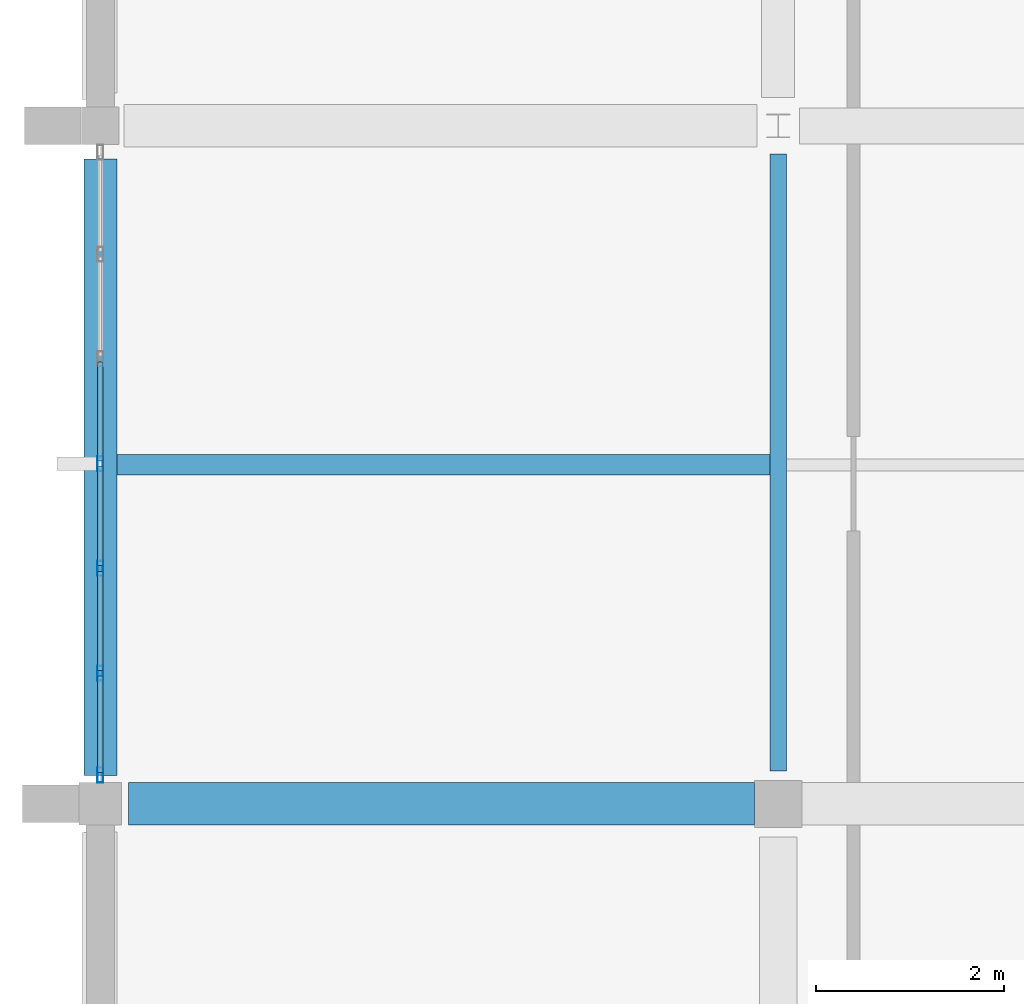
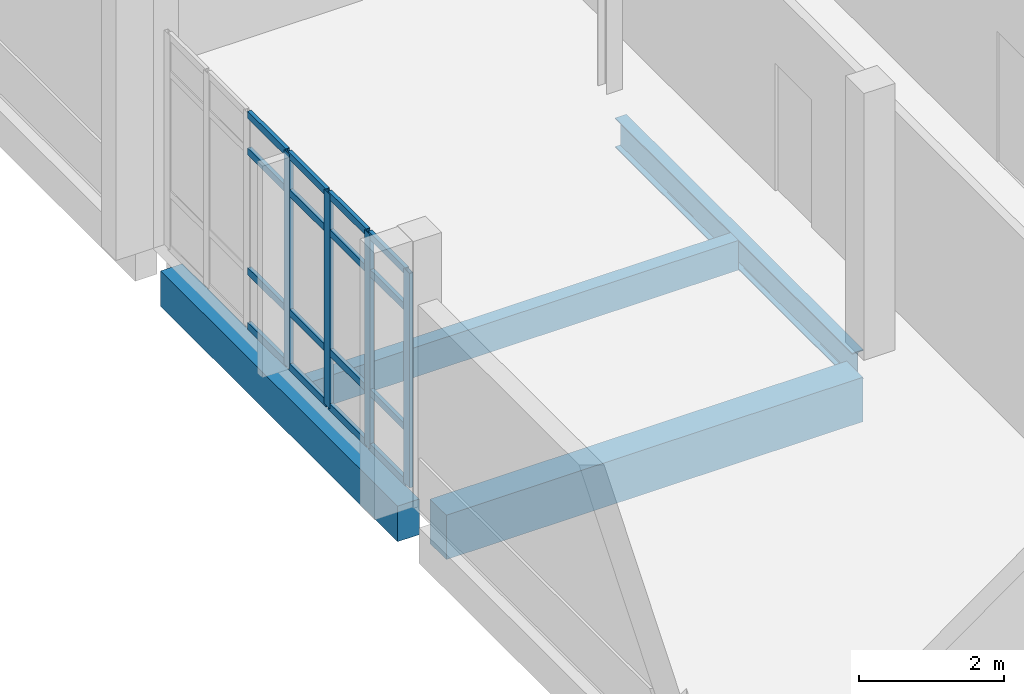
# One storey, part 14 of 62: 20 members, 4 beams, 1 element without a shape of its own.
"""IFC4 building model written with IfcOpenShell, lengths in metres."""

from ifc_helpers import new_model, si_unit, direction, frame, origin, origin_2d, place, context, subcontext, project, spatial, rectangle, hollow_rectangle, i_section, extrude, material, material_profile, profile_set, type_object, element, aggregate, save


model = new_model("IFC4")

# Units and contexts
model_context = context("Model", 3, precision=1e-05, world=origin(), true_north=direction((0.0, 1.0)))
body_context = subcontext(model_context, "Body", "Model", "MODEL_VIEW")
ifc_project = project(units=[si_unit("LENGTHUNIT", "METRE"), si_unit("AREAUNIT", "SQUARE_METRE"), si_unit("VOLUMEUNIT", "CUBIC_METRE"), si_unit("PLANEANGLEUNIT", "RADIAN"), si_unit("MASSUNIT", "GRAM", prefix="KILO")], contexts=[model_context])

# Site, building, storey
site_placement = place(None, origin())
site = spatial("IfcSite", under=ifc_project, at=site_placement, CompositionType="ELEMENT")
building_placement = place(site_placement, origin())
building = spatial("IfcBuilding", under=site, at=building_placement, Name="Kalluvel Institute of Natural Sciences", CompositionType="ELEMENT")
storey_placement = place(building_placement, frame((0.0, 0.0, 27.89990234375)))
storey = spatial("IfcBuildingStorey", under=building, at=storey_placement, Name="L06", CompositionType="ELEMENT", Elevation=27.89990234375)

# Beams
ifc_material_1 = material(Name="Steel E350 Grade 350", Category="steel")
ifc_material_profile_1 = material_profile(ifc_material_1, i_section(OverallWidth=0.179931640625, OverallDepth=0.5, WebThickness=0.01025390625, FlangeThickness=0.01708984375, FilletRadius=0.01708984375, at=origin_2d()), Name="ISMB 500")
ifc_profile_set_1 = profile_set([ifc_material_profile_1], Name="Steel E350 Grade 350")
beam_type_1 = type_object("IfcBeamType", Name="BM-ISMB500", PredefinedType="BEAM", material=ifc_profile_set_1)
beam_1_placement = place(storey_placement, frame((21.199951171875, 71.949951171875, -0.5498046875), z_axis=(0.0, 1.0, 0.0), x_axis=(-1.0, 0.0, 0.0)))
element("IfcBeam", 1, at=beam_1_placement, inside=storey, type_object=beam_type_1, Name="L06 girder GIR-L06-NS-X212-Y716", PredefinedType="BEAM", context=body_context, shape_type="SweptSolid", body=[
    extrude(i_section(OverallWidth=0.179931640625, OverallDepth=0.5, WebThickness=0.01025390625, FlangeThickness=0.01708984375, FilletRadius=0.01708984375, at=origin_2d()), origin(), (0.0, 0.0, 1.0), 6.550048828125),
])
ifc_material_2 = material(Name="Concrete M40", Category="concrete")
ifc_material_profile_2 = material_profile(ifc_material_2, rectangle(XDim=0.449951171875, YDim=0.75, at=origin_2d()), Name="RCB 450x750")
ifc_profile_set_2 = profile_set([ifc_material_profile_2], Name="Concrete M40")
beam_type_2 = type_object("IfcBeamType", Name="BM-RC450x750", PredefinedType="BEAM", material=ifc_profile_set_2)
beam_2_placement = place(storey_placement, frame((14.300048828125, 71.60009765625, -0.6748046875), z_axis=(1.0, 0.0, 0.0), x_axis=(0.0, 1.0, 0.0)))
element("IfcBeam", 2, at=beam_2_placement, inside=storey, type_object=beam_type_2, Name="L06 girder GIR-L06-EW-X140-Y716", PredefinedType="BEAM", context=body_context, shape_type="SweptSolid", body=[
    extrude(rectangle(XDim=0.449951171875, YDim=0.75, at=origin_2d()), origin(), (0.0, 0.0, 1.0), 6.64990234375),
])

# Curtain wall, members
ifc_material_3 = material(Name="Aluminium AW-6063 T6", Category="aluminium")
curtain_wall_type = type_object("IfcCurtainWallType", Name="CW-DRY-45", PredefinedType="USERDEFINED", material=ifc_material_3)
curtain_wall_placement = place(storey_placement, origin())
curtain_wall = element("IfcCurtainWall", 3, at=curtain_wall_placement, inside=storey, type_object=curtain_wall_type, Name="L06 Gothic lancet curtain wall CWA-L06-X140-Y719", ObjectType="UNITISED LANCET FACADE", PredefinedType="USERDEFINED")
ifc_material_profile_3 = material_profile(ifc_material_3, hollow_rectangle(XDim=0.06005859375, YDim=0.159912109375, WallThickness=0.00390625, at=origin_2d()), Name="CWM 60x160")
ifc_profile_set_3 = profile_set([ifc_material_profile_3], Name="Aluminium AW-6063 T6")
member_type_1 = type_object("IfcMemberType", Name="CWM-60x160", PredefinedType="MULLION", material=ifc_profile_set_3)
member_1_placement = place(storey_placement, frame((14.0, 71.905029296875, 0.0), z_axis=(0.0, 0.0, 1.0), x_axis=(-1.0, 0.0, 0.0)))
member_1 = element("IfcMember", 4, at=member_1_placement, type_object=member_type_1, Name="CW-03 mullion 1", PredefinedType="MULLION", context=body_context, shape_type="SweptSolid", body=[
    extrude(hollow_rectangle(XDim=0.06005859375, YDim=0.159912109375, WallThickness=0.00390625, at=origin_2d()), origin(), (0.0, 0.0, 1.0), 3.6201171875),
])
member_2_placement = place(storey_placement, frame((14.0, 72.987548828125, 0.0), z_axis=(0.0, 0.0, 1.0), x_axis=(-1.0, 0.0, 0.0)))
member_2 = element("IfcMember", 5, at=member_2_placement, type_object=member_type_1, Name="CW-03 mullion 2", PredefinedType="MULLION", context=body_context, shape_type="SweptSolid", body=[
    extrude(hollow_rectangle(XDim=0.06005859375, YDim=0.159912109375, WallThickness=0.00390625, at=origin_2d()), origin(), (0.0, 0.0, 1.0), 3.6201171875),
])
member_3_placement = place(storey_placement, frame((14.0, 74.10009765625, 0.0), z_axis=(0.0, 0.0, 1.0), x_axis=(-1.0, 0.0, 0.0)))
member_3 = element("IfcMember", 6, at=member_3_placement, type_object=member_type_1, Name="CW-03 mullion 3", PredefinedType="MULLION", context=body_context, shape_type="SweptSolid", body=[
    extrude(hollow_rectangle(XDim=0.06005859375, YDim=0.159912109375, WallThickness=0.00390625, at=origin_2d()), origin(), (0.0, 0.0, 1.0), 3.6201171875),
])
member_4_placement = place(storey_placement, frame((14.0, 75.21240234375, 0.0), z_axis=(0.0, 0.0, 1.0), x_axis=(-1.0, 0.0, 0.0)))
member_4 = element("IfcMember", 7, at=member_4_placement, type_object=member_type_1, Name="CW-03 mullion 4", PredefinedType="MULLION", context=body_context, shape_type="SweptSolid", body=[
    extrude(hollow_rectangle(XDim=0.06005859375, YDim=0.159912109375, WallThickness=0.00390625, at=origin_2d()), origin(), (0.0, 0.0, 1.0), 3.6201171875),
])
ifc_material_profile_4 = material_profile(ifc_material_3, hollow_rectangle(XDim=0.06005859375, YDim=0.1201171875, WallThickness=0.00390625, at=origin_2d()), Name="CWT 60x120")
ifc_profile_set_4 = profile_set([ifc_material_profile_4], Name="Aluminium AW-6063 T6")
member_type_2 = type_object("IfcMemberType", Name="CWT-60x120", PredefinedType="USERDEFINED", material=ifc_profile_set_4)
member_5_placement = place(storey_placement, frame((14.0, 71.93505859375, 0.030029296875), z_axis=(0.0, 1.0, 0.0), x_axis=(-1.0, 0.0, 0.0)))
member_5 = element("IfcMember", 8, at=member_5_placement, type_object=member_type_2, Name="CW-03 transom 1.1", ObjectType="TRANSOM", PredefinedType="USERDEFINED", context=body_context, shape_type="SweptSolid", body=[
    extrude(hollow_rectangle(XDim=0.06005859375, YDim=0.1201171875, WallThickness=0.00390625, at=origin_2d()), origin(), (0.0, 0.0, 1.0), 1.0224609375),
])
member_6_placement = place(storey_placement, frame((14.0, 71.93505859375, 0.9501953125), z_axis=(0.0, 1.0, 0.0), x_axis=(-1.0, 0.0, 0.0)))
member_6 = element("IfcMember", 9, at=member_6_placement, type_object=member_type_2, Name="CW-03 transom 1.2", ObjectType="TRANSOM", PredefinedType="USERDEFINED", context=body_context, shape_type="SweptSolid", body=[
    extrude(hollow_rectangle(XDim=0.06005859375, YDim=0.1201171875, WallThickness=0.00390625, at=origin_2d()), origin(), (0.0, 0.0, 1.0), 1.0224609375),
])
member_7_placement = place(storey_placement, frame((14.0, 71.93505859375, 2.97021484375), z_axis=(0.0, 1.0, 0.0), x_axis=(-1.0, 0.0, 0.0)))
member_7 = element("IfcMember", 10, at=member_7_placement, type_object=member_type_2, Name="CW-03 transom 1.3", ObjectType="TRANSOM", PredefinedType="USERDEFINED", context=body_context, shape_type="SweptSolid", body=[
    extrude(hollow_rectangle(XDim=0.06005859375, YDim=0.1201171875, WallThickness=0.00390625, at=origin_2d()), origin(), (0.0, 0.0, 1.0), 1.0224609375),
])
member_8_placement = place(storey_placement, frame((14.0, 71.93505859375, 3.590087890625), z_axis=(0.0, 1.0, 0.0), x_axis=(-1.0, 0.0, 0.0)))
member_8 = element("IfcMember", 11, at=member_8_placement, type_object=member_type_2, Name="CW-03 transom 1.4", ObjectType="TRANSOM", PredefinedType="USERDEFINED", context=body_context, shape_type="SweptSolid", body=[
    extrude(hollow_rectangle(XDim=0.06005859375, YDim=0.1201171875, WallThickness=0.00390625, at=origin_2d()), origin(), (0.0, 0.0, 1.0), 1.0224609375),
])
member_9_placement = place(storey_placement, frame((14.0, 73.017578125, 0.030029296875), z_axis=(0.0, 1.0, 0.0), x_axis=(-1.0, 0.0, 0.0)))
member_9 = element("IfcMember", 12, at=member_9_placement, type_object=member_type_2, Name="CW-03 transom 2.1", ObjectType="TRANSOM", PredefinedType="USERDEFINED", context=body_context, shape_type="SweptSolid", body=[
    extrude(hollow_rectangle(XDim=0.06005859375, YDim=0.1201171875, WallThickness=0.00390625, at=origin_2d()), origin(), (0.0, 0.0, 1.0), 1.052490234375),
])
member_10_placement = place(storey_placement, frame((14.0, 73.017578125, 0.9501953125), z_axis=(0.0, 1.0, 0.0), x_axis=(-1.0, 0.0, 0.0)))
member_10 = element("IfcMember", 13, at=member_10_placement, type_object=member_type_2, Name="CW-03 transom 2.2", ObjectType="TRANSOM", PredefinedType="USERDEFINED", context=body_context, shape_type="SweptSolid", body=[
    extrude(hollow_rectangle(XDim=0.06005859375, YDim=0.1201171875, WallThickness=0.00390625, at=origin_2d()), origin(), (0.0, 0.0, 1.0), 1.052490234375),
])
member_11_placement = place(storey_placement, frame((14.0, 73.017578125, 2.97021484375), z_axis=(0.0, 1.0, 0.0), x_axis=(-1.0, 0.0, 0.0)))
member_11 = element("IfcMember", 14, at=member_11_placement, type_object=member_type_2, Name="CW-03 transom 2.3", ObjectType="TRANSOM", PredefinedType="USERDEFINED", context=body_context, shape_type="SweptSolid", body=[
    extrude(hollow_rectangle(XDim=0.06005859375, YDim=0.1201171875, WallThickness=0.00390625, at=origin_2d()), origin(), (0.0, 0.0, 1.0), 1.052490234375),
])
member_12_placement = place(storey_placement, frame((14.0, 73.017578125, 3.590087890625), z_axis=(0.0, 1.0, 0.0), x_axis=(-1.0, 0.0, 0.0)))
member_12 = element("IfcMember", 15, at=member_12_placement, type_object=member_type_2, Name="CW-03 transom 2.4", ObjectType="TRANSOM", PredefinedType="USERDEFINED", context=body_context, shape_type="SweptSolid", body=[
    extrude(hollow_rectangle(XDim=0.06005859375, YDim=0.1201171875, WallThickness=0.00390625, at=origin_2d()), origin(), (0.0, 0.0, 1.0), 1.052490234375),
])
member_13_placement = place(storey_placement, frame((14.0, 74.1298828125, 0.030029296875), z_axis=(0.0, 1.0, 0.0), x_axis=(-1.0, 0.0, 0.0)))
member_13 = element("IfcMember", 16, at=member_13_placement, type_object=member_type_2, Name="CW-03 transom 3.1", ObjectType="TRANSOM", PredefinedType="USERDEFINED", context=body_context, shape_type="SweptSolid", body=[
    extrude(hollow_rectangle(XDim=0.06005859375, YDim=0.1201171875, WallThickness=0.00390625, at=origin_2d()), origin(), (0.0, 0.0, 1.0), 1.052734375),
])
member_14_placement = place(storey_placement, frame((14.0, 74.1298828125, 0.9501953125), z_axis=(0.0, 1.0, 0.0), x_axis=(-1.0, 0.0, 0.0)))
member_14 = element("IfcMember", 17, at=member_14_placement, type_object=member_type_2, Name="CW-03 transom 3.2", ObjectType="TRANSOM", PredefinedType="USERDEFINED", context=body_context, shape_type="SweptSolid", body=[
    extrude(hollow_rectangle(XDim=0.06005859375, YDim=0.1201171875, WallThickness=0.00390625, at=origin_2d()), origin(), (0.0, 0.0, 1.0), 1.052734375),
])
member_15_placement = place(storey_placement, frame((14.0, 74.1298828125, 2.97021484375), z_axis=(0.0, 1.0, 0.0), x_axis=(-1.0, 0.0, 0.0)))
member_15 = element("IfcMember", 18, at=member_15_placement, type_object=member_type_2, Name="CW-03 transom 3.3", ObjectType="TRANSOM", PredefinedType="USERDEFINED", context=body_context, shape_type="SweptSolid", body=[
    extrude(hollow_rectangle(XDim=0.06005859375, YDim=0.1201171875, WallThickness=0.00390625, at=origin_2d()), origin(), (0.0, 0.0, 1.0), 1.052734375),
])
member_16_placement = place(storey_placement, frame((14.0, 74.1298828125, 3.590087890625), z_axis=(0.0, 1.0, 0.0), x_axis=(-1.0, 0.0, 0.0)))
member_16 = element("IfcMember", 19, at=member_16_placement, type_object=member_type_2, Name="CW-03 transom 3.4", ObjectType="TRANSOM", PredefinedType="USERDEFINED", context=body_context, shape_type="SweptSolid", body=[
    extrude(hollow_rectangle(XDim=0.06005859375, YDim=0.1201171875, WallThickness=0.00390625, at=origin_2d()), origin(), (0.0, 0.0, 1.0), 1.052734375),
])
member_17_placement = place(storey_placement, frame((14.0, 75.242431640625, 0.030029296875), z_axis=(0.0, 1.0, 0.0), x_axis=(-1.0, 0.0, 0.0)))
member_17 = element("IfcMember", 20, at=member_17_placement, type_object=member_type_2, Name="CW-03 transom 4.1", ObjectType="TRANSOM", PredefinedType="USERDEFINED", context=body_context, shape_type="SweptSolid", body=[
    extrude(hollow_rectangle(XDim=0.06005859375, YDim=0.1201171875, WallThickness=0.00390625, at=origin_2d()), origin(), (0.0, 0.0, 1.0), 1.052490234375),
])
member_18_placement = place(storey_placement, frame((14.0, 75.242431640625, 0.9501953125), z_axis=(0.0, 1.0, 0.0), x_axis=(-1.0, 0.0, 0.0)))
member_18 = element("IfcMember", 21, at=member_18_placement, type_object=member_type_2, Name="CW-03 transom 4.2", ObjectType="TRANSOM", PredefinedType="USERDEFINED", context=body_context, shape_type="SweptSolid", body=[
    extrude(hollow_rectangle(XDim=0.06005859375, YDim=0.1201171875, WallThickness=0.00390625, at=origin_2d()), origin(), (0.0, 0.0, 1.0), 1.052490234375),
])
member_19_placement = place(storey_placement, frame((14.0, 75.242431640625, 2.97021484375), z_axis=(0.0, 1.0, 0.0), x_axis=(-1.0, 0.0, 0.0)))
member_19 = element("IfcMember", 22, at=member_19_placement, type_object=member_type_2, Name="CW-03 transom 4.3", ObjectType="TRANSOM", PredefinedType="USERDEFINED", context=body_context, shape_type="SweptSolid", body=[
    extrude(hollow_rectangle(XDim=0.06005859375, YDim=0.1201171875, WallThickness=0.00390625, at=origin_2d()), origin(), (0.0, 0.0, 1.0), 1.052490234375),
])
member_20_placement = place(storey_placement, frame((14.0, 75.242431640625, 3.590087890625), z_axis=(0.0, 1.0, 0.0), x_axis=(-1.0, 0.0, 0.0)))
member_20 = element("IfcMember", 23, at=member_20_placement, type_object=member_type_2, Name="CW-03 transom 4.4", ObjectType="TRANSOM", PredefinedType="USERDEFINED", context=body_context, shape_type="SweptSolid", body=[
    extrude(hollow_rectangle(XDim=0.06005859375, YDim=0.1201171875, WallThickness=0.00390625, at=origin_2d()), origin(), (0.0, 0.0, 1.0), 1.052490234375),
])
aggregate(curtain_wall, [member_1, member_2, member_3, member_4, member_5, member_6, member_7, member_8, member_9, member_10, member_11, member_12, member_13, member_14, member_15, member_16, member_17, member_18, member_19, member_20])

# Beams
ifc_material_profile_5 = material_profile(ifc_material_2, rectangle(XDim=0.35009765625, YDim=0.60009765625, at=origin_2d()), Name="RCB 350x600")
ifc_profile_set_5 = profile_set([ifc_material_profile_5], Name="Concrete M40")
beam_type_3 = type_object("IfcBeamType", Name="SP-RC350x600", PredefinedType="SPANDREL", material=ifc_profile_set_5)
beam_3_placement = place(storey_placement, frame((14.0, 71.89990234375, -0.599853515625), z_axis=(0.0, 1.0, 0.0), x_axis=(-1.0, 0.0, 0.0)))
element("IfcBeam", 24, at=beam_3_placement, inside=storey, type_object=beam_type_3, Name="L06 girder GIR-L06-NS-X140-Y716", PredefinedType="SPANDREL", context=body_context, shape_type="SweptSolid", body=[
    extrude(rectangle(XDim=0.35009765625, YDim=0.60009765625, at=origin_2d()), origin(), (0.0, 0.0, 1.0), 6.550048828125),
])
ifc_material_profile_6 = material_profile(ifc_material_2, rectangle(XDim=0.219970703125, YDim=0.5, at=origin_2d()), Name="WAF 220x500")
ifc_profile_set_6 = profile_set([ifc_material_profile_6], Name="Concrete M40")
beam_type_4 = type_object("IfcBeamType", Name="WJ-220x500", PredefinedType="JOIST", material=ifc_profile_set_6)
beam_4_placement = place(storey_placement, frame((14.175048828125, 75.199951171875, -0.5498046875), z_axis=(1.0, 0.0, 0.0), x_axis=(0.0, 1.0, 0.0)))
element("IfcBeam", 25, at=beam_4_placement, inside=storey, type_object=beam_type_4, Name="L06 floor rib RIB-L06-0770", PredefinedType="JOIST", context=body_context, shape_type="SweptSolid", body=[
    extrude(rectangle(XDim=0.219970703125, YDim=0.5, at=origin_2d()), origin(), (0.0, 0.0, 1.0), 6.93505859375),
])

save(model, "model.ifc")
